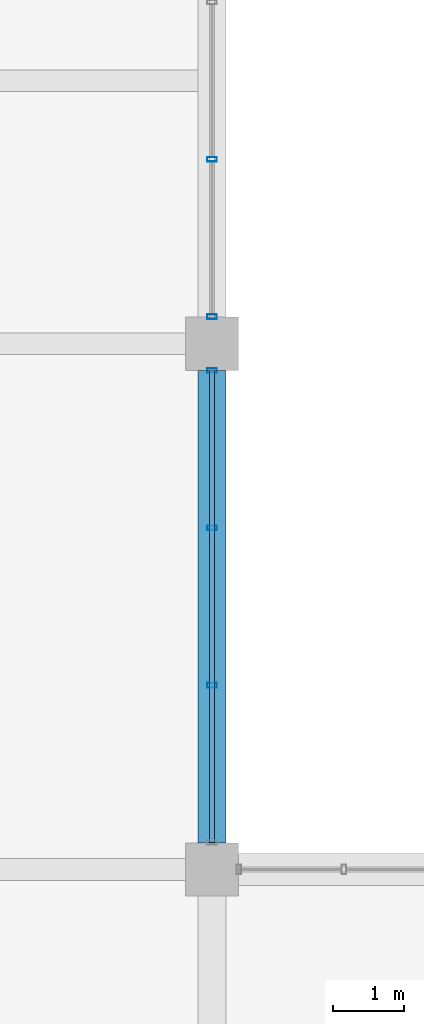
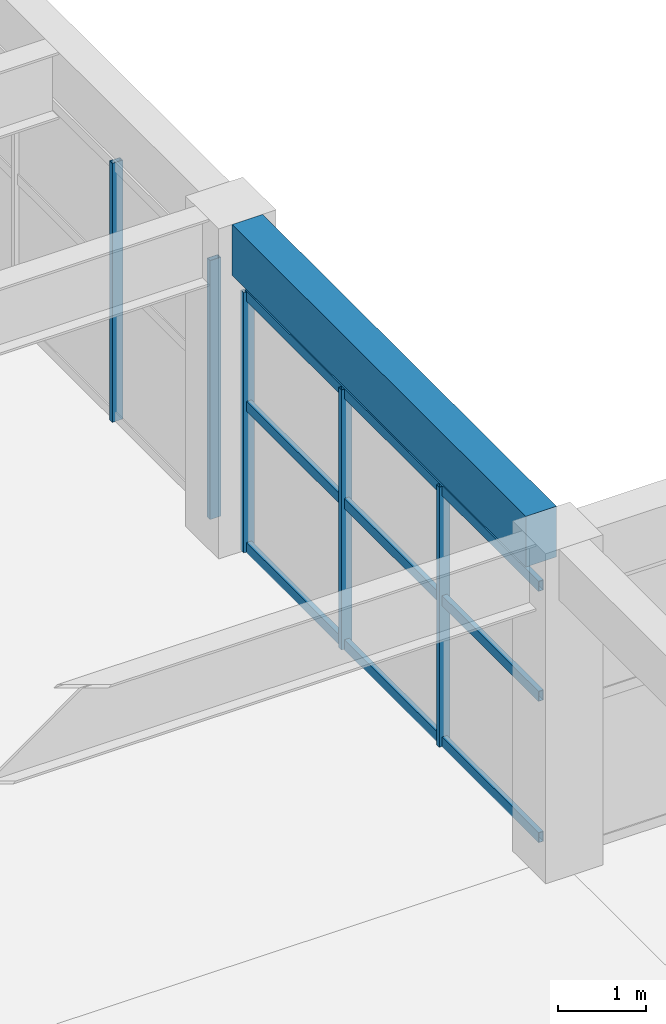
# One storey, part 55 of 161: 8 members, 1 beam, 2 elements without a shape of their own.
"""IFC4 building model written with IfcOpenShell, lengths in metres."""

from ifc_helpers import new_model, si_unit, direction, frame, origin, origin_2d, place, context, subcontext, project, spatial, rectangle, hollow_rectangle, extrude, material, material_profile, profile_set, type_object, element, aggregate, save


model = new_model("IFC4")

# Units and contexts
model_context = context("Model", 3, precision=1e-05, world=origin(), true_north=direction((0.0, 1.0)))
body_context = subcontext(model_context, "Body", "Model", "MODEL_VIEW")
ifc_project = project(units=[si_unit("LENGTHUNIT", "METRE"), si_unit("AREAUNIT", "SQUARE_METRE"), si_unit("VOLUMEUNIT", "CUBIC_METRE"), si_unit("PLANEANGLEUNIT", "RADIAN"), si_unit("MASSUNIT", "GRAM", prefix="KILO")], contexts=[model_context])

# Site, building, storey
site_placement = place(None, origin())
site = spatial("IfcSite", under=ifc_project, at=site_placement, CompositionType="ELEMENT")
building_placement = place(site_placement, origin())
building = spatial("IfcBuilding", under=site, at=building_placement, Name="Cimatlan Art Gallery", CompositionType="ELEMENT")
storey_placement = place(building_placement, frame((0.0, 0.0, 5.39990234375)))
storey = spatial("IfcBuildingStorey", under=building, at=storey_placement, Name="L01", CompositionType="ELEMENT", Elevation=5.39990234375)

# Beam
ifc_material_1 = material(Name="Concrete C40/50", Category="concrete")
ifc_material_profile_1 = material_profile(ifc_material_1, rectangle(XDim=0.39990234375, YDim=0.699951171875, at=origin_2d()), Name="RC400X700")
ifc_profile_set_1 = profile_set([ifc_material_profile_1], Name="Concrete C40/50")
beam_type = type_object("IfcBeamType", Name="BM-RC-400X700", PredefinedType="BEAM", material=ifc_profile_set_1)
beam_placement = place(storey_placement, frame((99.199951171875, 39.074951171875, 4.210205078125), z_axis=(0.0, 1.0, 0.0), x_axis=(-1.0, 0.0, 0.0)))
element("IfcBeam", 1, at=beam_placement, inside=storey, type_object=beam_type, Name="BM-Y-L01-12-05", PredefinedType="BEAM", context=body_context, shape_type="SweptSolid", body=[
    extrude(rectangle(XDim=0.39990234375, YDim=0.699951171875, at=origin_2d()), origin(), (0.0, 0.0, 1.0), 6.650146484375),
])

# Curtain wall, members
ifc_material_2 = material(Name="Anodised bronze unitised curtain wall")
curtain_wall_type_1 = type_object("IfcCurtainWallType", Name="CW-V-06642X03592-B3", PredefinedType="NOTDEFINED", material=ifc_material_2)
curtain_wall_1_placement = place(storey_placement, origin())
curtain_wall_1 = element("IfcCurtainWall", 2, at=curtain_wall_1_placement, inside=storey, type_object=curtain_wall_type_1, Name="CW-L01-11-05-E", PredefinedType="NOTDEFINED")
ifc_material_3 = material(Name="Anodised bronze aluminium 6063-T6", Category="aluminium")
ifc_material_profile_2 = material_profile(ifc_material_3, hollow_rectangle(XDim=0.06494140625, YDim=0.139892578125, WallThickness=0.00390625, at=origin_2d()), Name="ALU65X140X4")
ifc_profile_set_2 = profile_set([ifc_material_profile_2], Name="Anodised bronze aluminium 6063-T6")
member_type_1 = type_object("IfcMemberType", Name="CW-MUL-140", PredefinedType="MULLION", material=ifc_profile_set_2)
member_1_placement = place(storey_placement, frame((99.199951171875, 45.720947265625, 0.0), z_axis=(0.0, 0.0, 1.0), x_axis=(0.0, 1.0, 0.0)))
member_1 = element("IfcMember", 3, at=member_1_placement, type_object=member_type_1, Name="CW-L01-11-05-E-M1", PredefinedType="MULLION", context=body_context, shape_type="SweptSolid", body=[
    extrude(hollow_rectangle(XDim=0.06494140625, YDim=0.139892578125, WallThickness=0.00390625, at=origin_2d()), origin(), (0.0, 0.0, 1.0), 3.592041015625),
])
member_2_placement = place(storey_placement, frame((99.199951171875, 43.507080078125, 0.0), z_axis=(0.0, 0.0, 1.0), x_axis=(0.0, 1.0, 0.0)))
member_2 = element("IfcMember", 4, at=member_2_placement, type_object=member_type_1, Name="CW-L01-11-05-E-M2", PredefinedType="MULLION", context=body_context, shape_type="SweptSolid", body=[
    extrude(hollow_rectangle(XDim=0.06494140625, YDim=0.139892578125, WallThickness=0.00390625, at=origin_2d()), origin(), (0.0, 0.0, 1.0), 3.592041015625),
])
member_3_placement = place(storey_placement, frame((99.199951171875, 41.29296875, 0.0), z_axis=(0.0, 0.0, 1.0), x_axis=(0.0, 1.0, 0.0)))
member_3 = element("IfcMember", 5, at=member_3_placement, type_object=member_type_1, Name="CW-L01-11-05-E-M3", PredefinedType="MULLION", context=body_context, shape_type="SweptSolid", body=[
    extrude(hollow_rectangle(XDim=0.06494140625, YDim=0.139892578125, WallThickness=0.00390625, at=origin_2d()), origin(), (0.0, 0.0, 1.0), 3.592041015625),
])

curtain_wall_type_2 = type_object("IfcCurtainWallType", Name="CW-V-06642X03577-B3", PredefinedType="NOTDEFINED", material=ifc_material_2)
curtain_wall_2_placement = place(storey_placement, origin())
curtain_wall_2 = element("IfcCurtainWall", 6, at=curtain_wall_2_placement, inside=storey, type_object=curtain_wall_type_2, Name="CW-L01-11-06-E", PredefinedType="NOTDEFINED")
member_4_placement = place(storey_placement, frame((99.199951171875, 48.693115234375, 0.0), z_axis=(0.0, 0.0, 1.0), x_axis=(0.0, 1.0, 0.0)))
member_4 = element("IfcMember", 7, at=member_4_placement, type_object=member_type_1, Name="CW-L01-11-06-E-M3", PredefinedType="MULLION", context=body_context, shape_type="SweptSolid", body=[
    extrude(hollow_rectangle(XDim=0.06494140625, YDim=0.139892578125, WallThickness=0.00390625, at=origin_2d()), origin(), (0.0, 0.0, 1.0), 3.5771484375),
])
member_5_placement = place(storey_placement, frame((99.199951171875, 46.47900390625, 0.0), z_axis=(0.0, 0.0, 1.0), x_axis=(0.0, 1.0, 0.0)))
member_5 = element("IfcMember", 8, at=member_5_placement, type_object=member_type_1, Name="CW-L01-11-06-E-M4", PredefinedType="MULLION", context=body_context, shape_type="SweptSolid", body=[
    extrude(hollow_rectangle(XDim=0.06494140625, YDim=0.139892578125, WallThickness=0.00390625, at=origin_2d()), origin(), (0.0, 0.0, 1.0), 3.5771484375),
])
aggregate(curtain_wall_2, [member_4, member_5])

# Member
ifc_material_profile_3 = material_profile(ifc_material_3, hollow_rectangle(XDim=0.06494140625, YDim=0.139892578125, WallThickness=0.00390625, at=origin_2d()), Name="ALU65X140X4")
ifc_profile_set_3 = profile_set([ifc_material_profile_3], Name="Anodised bronze aluminium 6063-T6")
member_type_2 = type_object("IfcMemberType", Name="CW-TRN-140", PredefinedType="USERDEFINED", material=ifc_profile_set_3)
member_6_placement = place(storey_placement, frame((99.199951171875, 45.720947265625, 0.06005859375), z_axis=(0.0, -1.0, 0.0), x_axis=(1.0, 0.0, 0.0)))
member_6 = element("IfcMember", 9, at=member_6_placement, type_object=member_type_2, Name="CW-L01-11-05-E-T1", ObjectType="TRANSOM", PredefinedType="USERDEFINED", context=body_context, shape_type="SweptSolid", body=[
    extrude(hollow_rectangle(XDim=0.06494140625, YDim=0.139892578125, WallThickness=0.00390625, at=origin_2d()), origin(), (0.0, 0.0, 1.0), 6.641845703125),
])

member_7_placement = place(storey_placement, frame((99.199951171875, 45.720947265625, 2.01171875), z_axis=(0.0, -1.0, 0.0), x_axis=(1.0, 0.0, 0.0)))
member_7 = element("IfcMember", 10, at=member_7_placement, type_object=member_type_2, Name="CW-L01-11-05-E-T2", ObjectType="TRANSOM", PredefinedType="USERDEFINED", context=body_context, shape_type="SweptSolid", body=[
    extrude(hollow_rectangle(XDim=0.06494140625, YDim=0.139892578125, WallThickness=0.00390625, at=origin_2d()), origin(), (0.0, 0.0, 1.0), 6.641845703125),
])

member_8_placement = place(storey_placement, frame((99.199951171875, 45.720947265625, 3.531982421875), z_axis=(0.0, -1.0, 0.0), x_axis=(1.0, 0.0, 0.0)))
member_8 = element("IfcMember", 11, at=member_8_placement, type_object=member_type_2, Name="CW-L01-11-05-E-T3", ObjectType="TRANSOM", PredefinedType="USERDEFINED", context=body_context, shape_type="SweptSolid", body=[
    extrude(hollow_rectangle(XDim=0.06494140625, YDim=0.139892578125, WallThickness=0.00390625, at=origin_2d()), origin(), (0.0, 0.0, 1.0), 6.641845703125),
])

aggregate(curtain_wall_1, [member_1, member_2, member_3, member_6, member_7, member_8])

save(model, "model.ifc")
